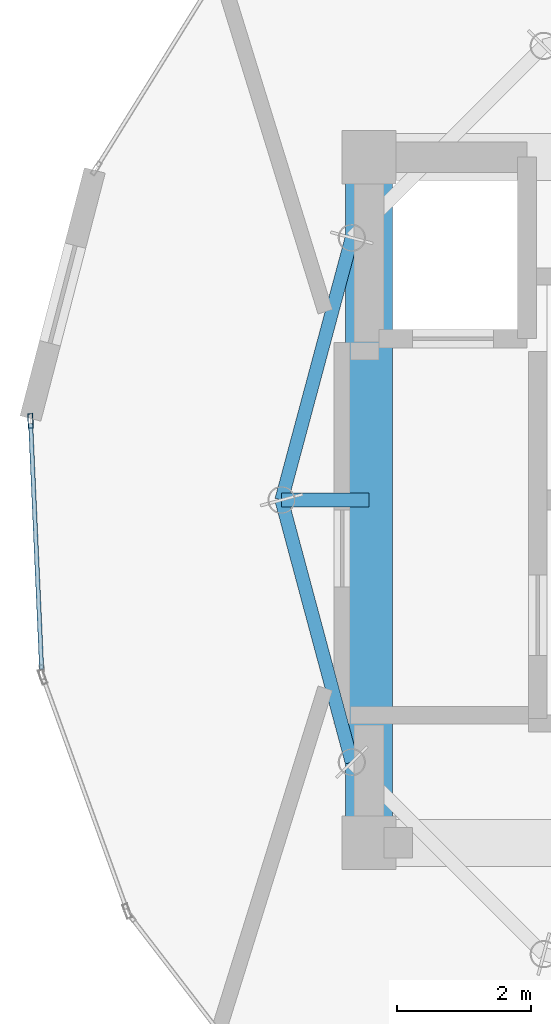
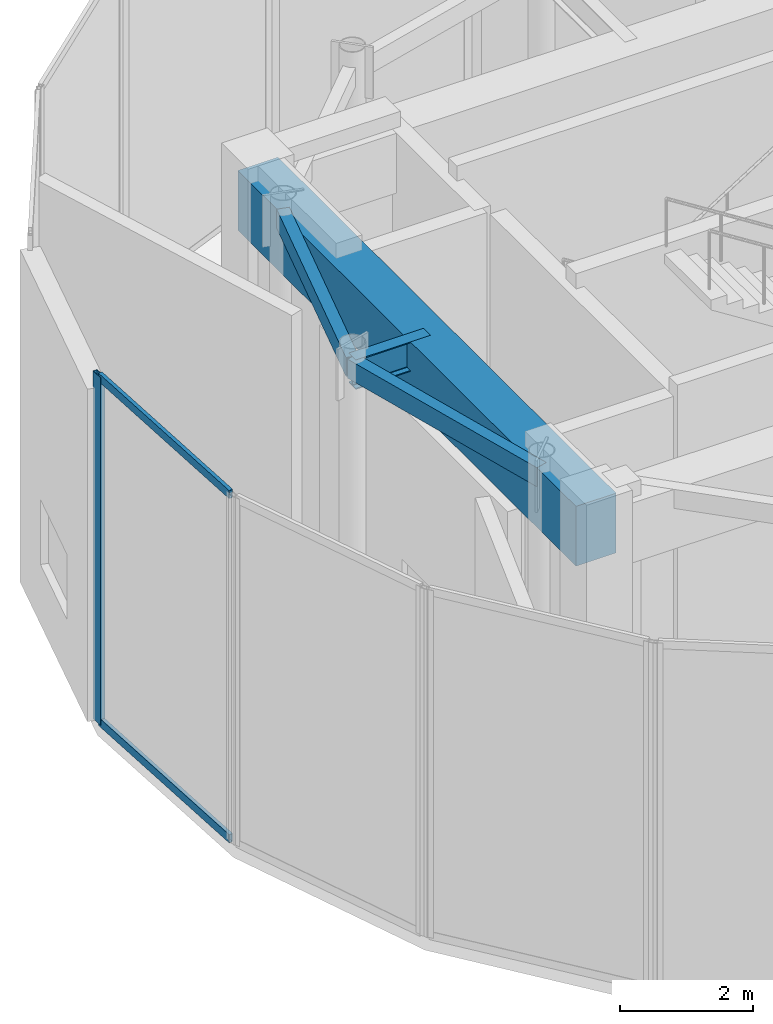
# One storey, part 3 of 9: 4 beams, 3 members, 1 element without a shape of its own.
"""IFC4 building model written with IfcOpenShell, lengths in metres."""

import ifcopenshell
import ifcopenshell.guid

model = None  # the IFC model being written
_history = None  # IfcOwnerHistory: only IFC2X3 demands one
_inside = {}  # id of a spatial element -> (the spatial element, [elements in it])
_under = {}  # id of a project, library or spatial element -> (it, [spatial elements below it])
_declared = {}  # id of a project -> (the project, [libraries it declares])
_typed = {}  # id of a type object -> (the type object, [elements of that type])
_made_of = {}  # id of a material, layer set ... -> (it, [elements and type objects made of it])


def new_model(schema):
    """Start an empty IFC model of exactly this schema.

    Asked for "IFC4X3", IfcOpenShell would pick the latest addendum, in which some entities
    have other attributes; the version numbers below select the first issue.
    IFC2X3 requires an IfcOwnerHistory on every rooted entity: one is made here for all.
    """
    global model, _history
    if schema == "IFC4X3":
        model = ifcopenshell.file(schema_version=(4, 3, 0, 0))
    else:
        model = ifcopenshell.file(schema=schema)
    _inside.clear()
    _under.clear()
    _declared.clear()
    _typed.clear()
    _made_of.clear()
    _history = None
    if model.schema == "IFC2X3":
        org = make("IfcOrganization", Name="unknown")
        user = make(
            "IfcPersonAndOrganization",
            ThePerson=make("IfcPerson", FamilyName="unknown"),
            TheOrganization=org,
        )
        app = make(
            "IfcApplication",
            ApplicationDeveloper=org,
            Version="unknown",
            ApplicationFullName="unknown",
            ApplicationIdentifier="unknown",
        )
        _history = make(
            "IfcOwnerHistory",
            OwningUser=user,
            OwningApplication=app,
            ChangeAction="ADDED",
            CreationDate=0,
        )
    return model


def make(cls, **values):
    """One entity of the class cls with the attributes given. An attribute that is None is left unset."""
    return model.create_entity(
        cls, **{name: value for name, value in values.items() if value is not None}
    )


def rooted(cls, **values):
    """An entity with a GlobalId (a new one), such as an element, a storey or a relation."""
    return make(cls, GlobalId=ifcopenshell.guid.new(), OwnerHistory=_history, **values)


def si_unit(unit_type, name, prefix=None):
    """IfcSIUnit, for example si_unit("LENGTHUNIT", "METRE", prefix="MILLI")."""
    return make("IfcSIUnit", UnitType=unit_type, Prefix=prefix, Name=name)


def assignment(units):
    """IfcUnitAssignment: the units of a project."""
    return None if units is None else make("IfcUnitAssignment", Units=units)


def point(xyz):
    """IfcCartesianPoint."""
    return None if xyz is None else make("IfcCartesianPoint", Coordinates=xyz)


def direction(xyz):
    """IfcDirection."""
    return None if xyz is None else make("IfcDirection", DirectionRatios=xyz)


def frame(location, z_axis=None, x_axis=None):
    """IfcAxis2Placement3D, a coordinate frame: its origin and axes. An axis left out is left unset."""
    return make(
        "IfcAxis2Placement3D",
        Location=point(location),
        Axis=direction(z_axis),
        RefDirection=direction(x_axis),
    )


def frame_2d(location, x_axis=None):
    """IfcAxis2Placement2D, a coordinate frame in the plane: its origin and x axis."""
    return make(
        "IfcAxis2Placement2D", Location=point(location), RefDirection=direction(x_axis)
    )


def origin():
    """The frame at (0, 0, 0) with its axes left unset."""
    return frame((0.0, 0.0, 0.0))


def origin_2d():
    """The frame at (0, 0) in the plane with its x axis left unset."""
    return frame_2d((0.0, 0.0))


def place(relative_to, where):
    """IfcLocalPlacement: puts the frame where relative to a parent placement (None: the world)."""
    return make(
        "IfcLocalPlacement", PlacementRelTo=relative_to, RelativePlacement=where
    )


def context(
    kind, dimensions, precision=None, world=None, true_north=None, identifier=None
):
    """IfcGeometricRepresentationContext, for example the 3D "Model" context."""
    return make(
        "IfcGeometricRepresentationContext",
        ContextIdentifier=identifier,
        ContextType=kind,
        CoordinateSpaceDimension=dimensions,
        Precision=precision,
        WorldCoordinateSystem=world,
        TrueNorth=true_north,
    )


def subcontext(parent, identifier, kind, view, scale=None):
    """IfcGeometricRepresentationSubContext, for example "Body" below "Model"."""
    return make(
        "IfcGeometricRepresentationSubContext",
        ContextIdentifier=identifier,
        ContextType=kind,
        ParentContext=parent,
        TargetScale=scale,
        TargetView=view,
    )


def project(units=None, contexts=None):
    """IfcProject with its units and contexts."""
    return rooted(
        "IfcProject",
        Name="project",
        RepresentationContexts=contexts,
        UnitsInContext=assignment(units),
    )


def spatial(cls, under=None, at=None, **own):
    """A site, building, storey or space (cls), placed at a placement, below another one or the project."""
    s = rooted(cls, ObjectPlacement=at, **own)
    if under is not None:
        _under.setdefault(under.id(), (under, []))[1].append(s)
    return s


def profile(cls, at=None, kind="AREA", **sizes):
    """A parametric profile (cls). Its sizes go by their IFC names, for example OverallWidth=200.0."""
    return make(cls, ProfileType=kind, Position=at, **sizes)


def rectangle(**sizes):
    """IfcRectangleProfileDef."""
    return profile("IfcRectangleProfileDef", **sizes)


def hollow_rectangle(**sizes):
    """IfcRectangleHollowProfileDef."""
    return profile("IfcRectangleHollowProfileDef", **sizes)


def i_section(**sizes):
    """IfcIShapeProfileDef."""
    return profile("IfcIShapeProfileDef", **sizes)


def extrude(swept, where, along, depth):
    """IfcExtrudedAreaSolid: the profile swept, set in the frame where, extruded along a direction by depth."""
    return make(
        "IfcExtrudedAreaSolid",
        SweptArea=swept,
        Position=where,
        ExtrudedDirection=direction(along),
        Depth=depth,
    )


def shape(context_of_items, identifier, shape_type, items):
    """IfcShapeRepresentation: the items that make up one representation, for example the "Body"."""
    return make(
        "IfcShapeRepresentation",
        ContextOfItems=context_of_items,
        RepresentationIdentifier=identifier,
        RepresentationType=shape_type,
        Items=items,
    )


def source(mapping_origin, context_of_items, identifier, shape_type, items):
    """IfcRepresentationMap: a shape defined once, which mapped items show again and again."""
    return make(
        "IfcRepresentationMap",
        MappingOrigin=mapping_origin,
        MappedRepresentation=shape(context_of_items, identifier, shape_type, items),
    )


def transform(
    local_origin,
    x_axis=None,
    y_axis=None,
    z_axis=None,
    scale=None,
    scale2=None,
    scale3=None,
    uniform=True,
):
    """IfcCartesianTransformationOperator3D, or its non-uniform kind. x_axis, y_axis, z_axis: its Axis1, 2, 3."""
    if uniform:
        return make(
            "IfcCartesianTransformationOperator3D",
            Axis1=direction(x_axis),
            Axis2=direction(y_axis),
            LocalOrigin=point(local_origin),
            Scale=scale,
            Axis3=direction(z_axis),
        )
    return make(
        "IfcCartesianTransformationOperator3DnonUniform",
        Axis1=direction(x_axis),
        Axis2=direction(y_axis),
        LocalOrigin=point(local_origin),
        Scale=scale,
        Axis3=direction(z_axis),
        Scale2=scale2,
        Scale3=scale3,
    )


def mapped(mapping_source, mapping_target):
    """IfcMappedItem: shows the shape of a source again, moved by a transform."""
    return make(
        "IfcMappedItem", MappingSource=mapping_source, MappingTarget=mapping_target
    )


def material(Name=None, Category=None):
    """IfcMaterial."""
    return make("IfcMaterial", Name=Name, Category=Category)


def layer(
    of_material, thickness, ventilated=None, Name=None, Category=None, Priority=None
):
    """IfcMaterialLayer: one layer of a wall or slab, of a material (None: an air gap)."""
    return make(
        "IfcMaterialLayer",
        Material=of_material,
        LayerThickness=thickness,
        IsVentilated=ventilated,
        Name=Name,
        Category=Category,
        Priority=Priority,
    )


def layer_set(layers, Name=None):
    """IfcMaterialLayerSet."""
    return make("IfcMaterialLayerSet", MaterialLayers=layers, LayerSetName=Name)


def material_profile(
    of_material, cross_section, Name=None, Category=None, Priority=None
):
    """IfcMaterialProfile: a cross section and its material."""
    return make(
        "IfcMaterialProfile",
        Name=Name,
        Material=of_material,
        Profile=cross_section,
        Priority=Priority,
        Category=Category,
    )


def profile_set(profiles, Name=None, composite=None):
    """IfcMaterialProfileSet."""
    return make(
        "IfcMaterialProfileSet",
        Name=Name,
        MaterialProfiles=profiles,
        CompositeProfile=composite,
    )


def made_of(thing, what):
    """Note that an element or type object is made of a material, layer set ...; save() writes the relation."""
    if what is not None:
        _made_of.setdefault(what.id(), (what, []))[1].append(thing)
    return thing


def type_object(cls, material=None, **own):
    """A type object (cls), such as IfcWallType, which elements share."""
    return made_of(rooted(cls, **own), material)


def element(
    cls,
    number,
    at=None,
    inside=None,
    cuts=None,
    type_object=None,
    material=None,
    context=None,
    identifier="Body",
    shape_type=None,
    held_by="IfcProductDefinitionShape",
    body=None,
    shapes=None,
    **own,
):
    """One element of the class cls, such as IfcWall. Its Tag is "e" and its number.

    at: its placement. inside: the storey or other place that contains it. cuts: it is an
    opening in that element (IfcRelVoidsElement). A single representation is given by context,
    identifier, shape_type and body (its items); several are given by shapes. held_by: the class
    of the entity that holds the representations. save() writes the other relations.
    """
    e = rooted(cls, Tag="e%d" % number, ObjectPlacement=at, **own)
    if body is not None:
        shapes = [shape(context, identifier, shape_type, body)]
    if shapes is not None:
        e.Representation = make(held_by, Representations=shapes)
    if inside is not None:
        _inside.setdefault(inside.id(), (inside, []))[1].append(e)
    if cuts is not None:
        rooted(
            "IfcRelVoidsElement", RelatingBuildingElement=cuts, RelatedOpeningElement=e
        )
    if type_object is not None:
        _typed.setdefault(type_object.id(), (type_object, []))[1].append(e)
    return made_of(e, material)


def aggregate(whole, parts):
    """IfcRelAggregates: a whole, such as a stair, and the parts it consists of."""
    return rooted("IfcRelAggregates", RelatingObject=whole, RelatedObjects=parts)


def save(model, path):
    """Write the relations noted so far, then the file.

    IfcRelAggregates (storeys below a building ...), IfcRelContainedInSpatialStructure (elements
    in a storey), IfcRelDefinesByType, IfcRelAssociatesMaterial and IfcRelDeclares: one each for
    every whole, place, type object, material and project.
    """
    for whole, parts in _under.values():
        aggregate(whole, parts)
    for where, things in _inside.values():
        rooted(
            "IfcRelContainedInSpatialStructure",
            RelatedElements=things,
            RelatingStructure=where,
        )
    for kind, things in _typed.values():
        rooted("IfcRelDefinesByType", RelatedObjects=things, RelatingType=kind)
    for what, things in _made_of.values():
        rooted("IfcRelAssociatesMaterial", RelatedObjects=things, RelatingMaterial=what)
    for by, libraries in _declared.values():
        rooted("IfcRelDeclares", RelatingContext=by, RelatedDefinitions=libraries)
    model.write(path)


model = new_model("IFC4")

# Units and contexts
model_context = context("Model", 3, precision=1e-05, world=origin(), true_north=direction((0.0, 1.0)))
body_context = subcontext(model_context, "Body", "Model", "MODEL_VIEW")
ifc_project = project(units=[si_unit("LENGTHUNIT", "METRE"), si_unit("AREAUNIT", "SQUARE_METRE"), si_unit("VOLUMEUNIT", "CUBIC_METRE"), si_unit("PLANEANGLEUNIT", "RADIAN"), si_unit("MASSUNIT", "GRAM", prefix="KILO")], contexts=[model_context])

# Site, building, storey
site_placement = place(None, origin())
site = spatial("IfcSite", under=ifc_project, at=site_placement, CompositionType="ELEMENT")
building_placement = place(site_placement, origin())
building = spatial("IfcBuilding", under=site, at=building_placement, Name="Solvirekh Grand Hotel", CompositionType="ELEMENT")
storey_placement = place(building_placement, frame((0.0, 0.0, 314.60009765625)))
storey = spatial("IfcBuildingStorey", under=building, at=storey_placement, Name="L80", CompositionType="ELEMENT", Elevation=314.60009765625)

# Beams
ifc_material_1 = material(Name="Concrete C60/75", Category="concrete")
ifc_material_profile_1 = material_profile(ifc_material_1, rectangle(XDim=0.699951171875, YDim=1.10009765625, at=origin_2d()), Name="RC BEAM 700X1100")
ifc_profile_set_1 = profile_set([ifc_material_profile_1], Name="Concrete C60/75")
beam_type_1 = type_object("IfcBeamType", Name="Beam_Core_RC1100", PredefinedType="BEAM", material=ifc_profile_set_1)
beam_1_placement = place(storey_placement, frame((-6.5, 5.10009765625, 5.56982421875), z_axis=(0.0, -1.0, 0.0), x_axis=(1.0, 0.0, 0.0)))
element("IfcBeam", 1, at=beam_1_placement, inside=storey, type_object=beam_type_1, Name="L80 core coupling ring beam 4", PredefinedType="BEAM", context=body_context, shape_type="SweptSolid", body=[
    extrude(rectangle(XDim=0.699951171875, YDim=1.10009765625, at=origin_2d()), origin(), (0.0, 0.0, 1.0), 10.2001953125),
])
ifc_material_2 = material(Name="Steel S355", Category="steel")
ifc_material_profile_2 = material_profile(ifc_material_2, i_section(OverallWidth=0.2119140625, OverallDepth=0.5439453125, WebThickness=0.011962890625, FlangeThickness=0.01904296875, FilletRadius=0.013916015625, at=origin_2d()), Name="W530X123")
ifc_profile_set_2 = profile_set([ifc_material_profile_2], Name="Steel S355")
beam_type_2 = type_object("IfcBeamType", Name="Beam_Radial_W530H", PredefinedType="BEAM", material=ifc_profile_set_2)
beam_2_placement = place(storey_placement, frame((-6.5, 0.0, 5.847900390625), z_axis=(-1.0, 0.0, 0.0), x_axis=(0.0, -1.0, 0.0)))
element("IfcBeam", 2, at=beam_2_placement, inside=storey, type_object=beam_type_2, Name="L80 radial floor beam R07", PredefinedType="BEAM", context=body_context, shape_type="SweptSolid", body=[
    extrude(i_section(OverallWidth=0.2119140625, OverallDepth=0.5439453125, WebThickness=0.011962890625, FlangeThickness=0.01904296875, FilletRadius=0.013916015625, at=origin_2d()), origin(), (0.0, 0.0, 1.0), 1.300048828125),
])
ifc_material_profile_3 = material_profile(ifc_material_2, hollow_rectangle(XDim=0.199951171875, YDim=0.35009765625, WallThickness=0.013916015625, at=origin_2d()), Name="RHS 350X200X14")
ifc_profile_set_3 = profile_set([ifc_material_profile_3], Name="Steel S355")
beam_type_3 = type_object("IfcBeamType", Name="Spandrel_Crown_RHS350", PredefinedType="SPANDREL", material=ifc_profile_set_3)
for number, where, z_axis, x_axis, name in (
    (3, (-6.7548828125, 3.89990234375, 5.94482421875), (-0.258863027773, -0.965914040095, 0.0), (0.965914040095, -0.258863027773, 0.0), "L80 perimeter spandrel beam 6"),
    (4, (-7.800048828125, 0.0, 5.94482421875), (0.258863027773, -0.965914040095, 0.0), (0.965914040095, 0.258863027773, 0.0), "L80 perimeter spandrel beam 7"),
):
    element("IfcBeam", number, at=place(storey_placement, frame(where, z_axis=z_axis, x_axis=x_axis)), inside=storey, type_object=beam_type_3, Name=name, PredefinedType="SPANDREL", context=body_context, shape_type="SweptSolid", body=[
        extrude(hollow_rectangle(XDim=0.199951171875, YDim=0.35009765625, WallThickness=0.013916015625, at=origin_2d()), origin(), (0.0, 0.0, 1.0), 4.03759765625),
    ])

# Curtain wall, members
ifc_material_3 = material(Name="Anodized Bronze Aluminium 6063-T6", Category="aluminium")
ifc_layer = layer(ifc_material_3, 0.219970703125)
ifc_layer_set = layer_set([ifc_layer], Name="Anodized Bronze Aluminium 6063-T6")
curtain_wall_type = type_object("IfcCurtainWallType", Name="CW_Sys6_CrownFacetedPointCW", PredefinedType="NOTDEFINED", material=ifc_layer_set)
curtain_wall_placement = place(storey_placement, origin())
curtain_wall = element("IfcCurtainWall", 5, at=curtain_wall_placement, inside=storey, type_object=curtain_wall_type, Name="L80 unitised bronze-glass curtain wall CW-L80-C16", PredefinedType="NOTDEFINED")
ifc_material_profile_4 = material_profile(ifc_material_3, hollow_rectangle(XDim=0.074951171875, YDim=0.219970703125, WallThickness=0.006103515625, at=origin_2d()), Name="ALU RHS 220X75X6")
ifc_profile_set_4 = profile_set([ifc_material_profile_4], Name="Anodized Bronze Aluminium 6063-T6")
member_type_1 = type_object("IfcMemberType", Name="CWMullion_Sys6", PredefinedType="MULLION", material=ifc_profile_set_4)
shared_shape_1 = source(origin(), body_context, "Body", "SweptSolid", [
    extrude(hollow_rectangle(XDim=0.074951171875, YDim=0.219970703125, WallThickness=0.006103515625, at=origin_2d()), origin(), (0.0, 0.0, 1.0), 6.39990234375),
])
member_1_placement = place(storey_placement, frame((-11.534423828125, 1.175537109375, 0.0), z_axis=(0.0, 0.0, 1.0), x_axis=(0.999005516281, 0.044586751848, 0.0)))
member_1 = element("IfcMember", 6, at=member_1_placement, type_object=member_type_1, Name="U06 mullion 1", PredefinedType="MULLION", context=body_context, shape_type="MappedRepresentation", body=[
    mapped(shared_shape_1, transform((0.0, 0.0, 0.0), x_axis=(1.0, 0.0, 0.0), y_axis=(0.0, 1.0, 0.0), z_axis=(0.0, 0.0, 1.0), scale=1.0)),
])
ifc_material_profile_5 = material_profile(ifc_material_3, hollow_rectangle(XDim=0.06494140625, YDim=0.14990234375, WallThickness=0.0048828125, at=origin_2d()), Name="ALU RHS 150X65X5")
ifc_profile_set_5 = profile_set([ifc_material_profile_5], Name="Anodized Bronze Aluminium 6063-T6")
member_type_2 = type_object("IfcMemberType", Name="CWTransom_Sys6", PredefinedType="USERDEFINED", material=ifc_profile_set_5)
shared_shape_2 = source(origin(), body_context, "Body", "SweptSolid", [
    extrude(hollow_rectangle(XDim=0.06494140625, YDim=0.14990234375, WallThickness=0.0048828125, at=origin_2d()), origin(), (0.0, 0.0, 1.0), 3.662841796875),
])
member_2_placement = place(storey_placement, frame((-11.53271484375, 1.13818359375, 0.032470703125), z_axis=(0.04459131, -0.999005312835, 0.0), x_axis=(0.999005312835, 0.04459131, 0.0)))
member_2 = element("IfcMember", 7, at=member_2_placement, type_object=member_type_2, Name="U06 transom 1.1", ObjectType="TRANSOM", PredefinedType="USERDEFINED", context=body_context, shape_type="MappedRepresentation", body=[
    mapped(shared_shape_2, transform((0.0, 0.0, 0.0), x_axis=(1.0, 0.0, 0.0), y_axis=(0.0, 1.0, 0.0), z_axis=(0.0, 0.0, 1.0), scale=1.0)),
])
member_3_placement = place(storey_placement, frame((-11.53271484375, 1.13818359375, 6.367431640625), z_axis=(0.04459131, -0.999005312835, 0.0), x_axis=(0.999005312835, 0.04459131, 0.0)))
member_3 = element("IfcMember", 8, at=member_3_placement, type_object=member_type_2, Name="U06 transom 1.2", ObjectType="TRANSOM", PredefinedType="USERDEFINED", context=body_context, shape_type="MappedRepresentation", body=[
    mapped(shared_shape_2, transform((0.0, 0.0, 0.0), x_axis=(1.0, 0.0, 0.0), y_axis=(0.0, 1.0, 0.0), z_axis=(0.0, 0.0, 1.0), scale=1.0)),
])
aggregate(curtain_wall, [member_1, member_2, member_3])

save(model, "model.ifc")
